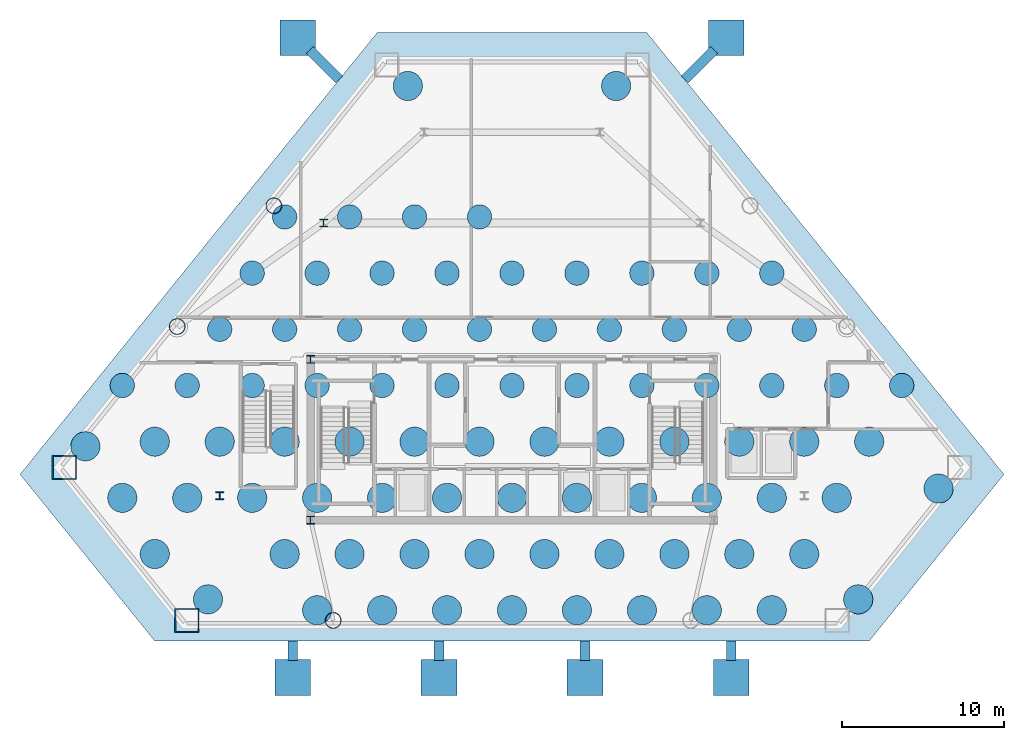
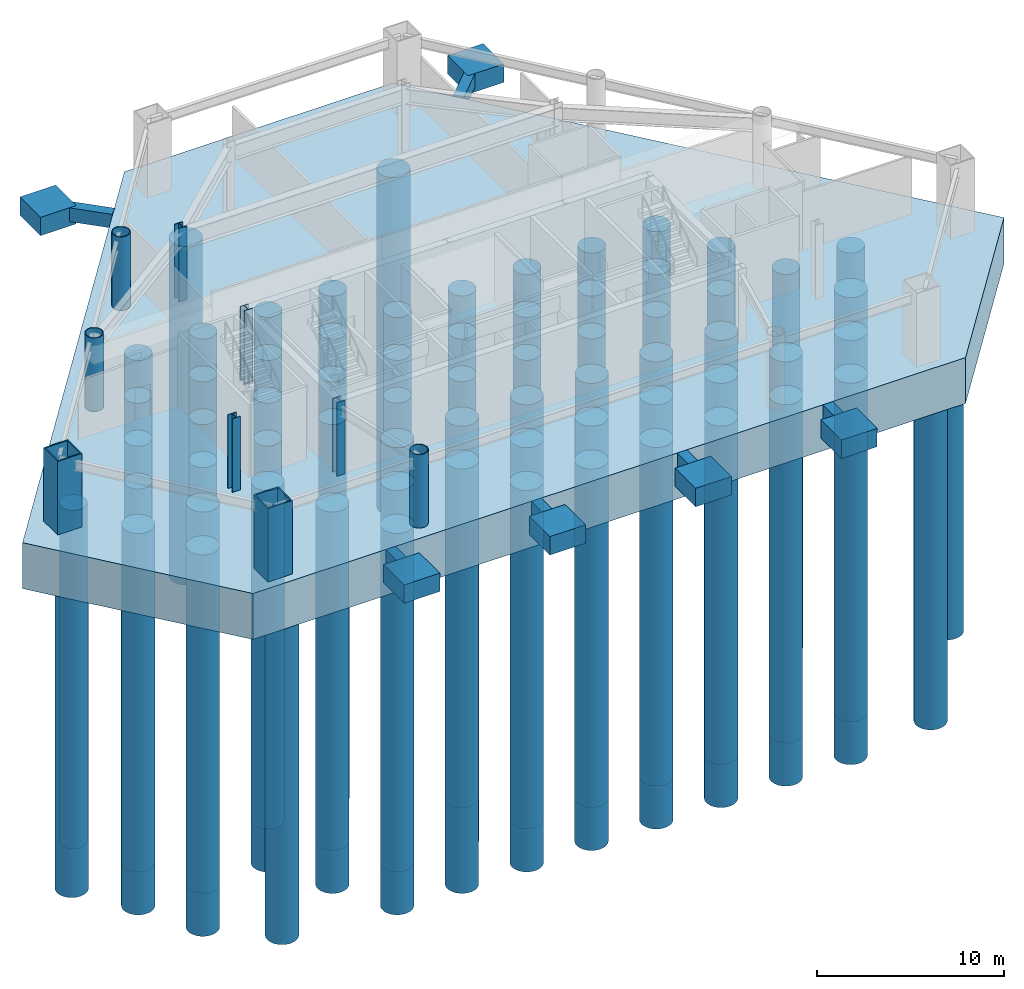
# One storey, part 1 of 8: 84 piles, 13 footings, 9 columns.
"""IFC4 building model written with IfcOpenShell, lengths in metres."""

from ifc_helpers import new_model, si_unit, direction, frame, origin, origin_2d, place, context, subcontext, project, spatial, polyline, rectangle, hollow_rectangle, circle, hollow_circle, i_section, outline, extrude, material, layer, layer_set, material_profile, profile_set, type_object, element, save


model = new_model("IFC4")

# Units and contexts
model_context = context("Model", 3, precision=1e-05, world=origin(), true_north=direction((0.0, 1.0)))
body_context = subcontext(model_context, "Body", "Model", "MODEL_VIEW")
ifc_project = project(units=[si_unit("LENGTHUNIT", "METRE"), si_unit("AREAUNIT", "SQUARE_METRE"), si_unit("VOLUMEUNIT", "CUBIC_METRE"), si_unit("PLANEANGLEUNIT", "RADIAN"), si_unit("MASSUNIT", "GRAM", prefix="KILO")], contexts=[model_context])

# Site, building, storey
site_placement = place(None, origin())
site = spatial("IfcSite", under=ifc_project, at=site_placement, CompositionType="ELEMENT")
building_placement = place(site_placement, origin())
building = spatial("IfcBuilding", under=site, at=building_placement, Name="Talgorran Terracotta Tower", CompositionType="ELEMENT")
storey_placement = place(building_placement, frame((0.0, 0.0, -4.800048828125)))
storey = spatial("IfcBuildingStorey", under=building, at=storey_placement, Name="B1", CompositionType="ELEMENT", Elevation=-4.800048828125)

# Footings
ifc_material_1 = material(Name="Concrete C50/60", Category="concrete")
ifc_layer_1 = layer(ifc_material_1, 1.199951171875, Name="FT_CANOPY_PAD_1200")
ifc_layer_set_1 = layer_set([ifc_layer_1], Name="Concrete C50/60")
footing_type_1 = type_object("IfcFootingType", Name="FT_CANOPY_PAD_1200", PredefinedType="PAD_FOOTING", material=ifc_layer_set_1)
for number, where, z_axis, x_axis, name in (
    (1, (-13.5, -23.800048828125, -1.19970703125), (0.0, 0.0, 1.0), (1.0, 0.0, 0.0), "Plaza Entry Portico Pad Footing S1"),
    (2, (-4.5, -23.800048828125, -1.19970703125), (0.0, 0.0, 1.0), (1.0, 0.0, 0.0), "Plaza Entry Portico Pad Footing S2"),
    (3, (4.5, -23.800048828125, -1.19970703125), (0.0, 0.0, 1.0), (1.0, 0.0, 0.0), "Plaza Entry Portico Pad Footing S3"),
    (4, (13.5, -23.800048828125, -1.19970703125), (0.0, 0.0, 1.0), (1.0, 0.0, 0.0), "Plaza Entry Portico Pad Footing S4"),
    (5, (-13.199951171875, 15.60009765625, -1.19970703125), (0.0, 0.0, 1.0), (1.0, 0.0, 0.0), "Plaza Entry Portico Pad Footing N1"),
    (6, (13.199951171875, 15.60009765625, -1.19970703125), (0.0, 0.0, 1.0), (1.0, 0.0, 0.0), "Plaza Entry Portico Pad Footing N2"),
):
    element("IfcFooting", number, at=place(storey_placement, frame(where, z_axis=z_axis, x_axis=x_axis)), inside=storey, type_object=footing_type_1, Name=name, PredefinedType="PAD_FOOTING", context=body_context, shape_type="SweptSolid", body=[
        extrude(rectangle(XDim=2.199951171875, YDim=2.199951171875, at=origin_2d()), origin(), (0.0, 0.0, 1.0), 1.199951171875),
    ])
ifc_material_profile_1 = material_profile(ifc_material_1, rectangle(XDim=0.60009765625, YDim=0.89990234375, at=origin_2d()), Name="GB600X900")
ifc_profile_set_1 = profile_set([ifc_material_profile_1], Name="Concrete C50/60")
footing_type_2 = type_object("IfcFootingType", Name="FT_GROUND_TIE_600X900", PredefinedType="FOOTING_BEAM", material=ifc_profile_set_1)
for number, where, z_axis, x_axis, name in (
    (7, (-13.5, -22.75, -0.449951171875), (0.0, 1.0, 0.0), (-1.0, 0.0, 0.0), "Ground Tie Beam S1"),
    (8, (-4.5, -22.75, -0.449951171875), (0.0, 1.0, 0.0), (-1.0, 0.0, 0.0), "Ground Tie Beam S2"),
    (9, (4.5, -22.75, -0.449951171875), (0.0, 1.0, 0.0), (-1.0, 0.0, 0.0), "Ground Tie Beam S3"),
    (10, (13.5, -22.75, -0.449951171875), (0.0, 1.0, 0.0), (-1.0, 0.0, 0.0), "Ground Tie Beam S4"),
):
    element("IfcFooting", number, at=place(storey_placement, frame(where, z_axis=z_axis, x_axis=x_axis)), inside=storey, type_object=footing_type_2, Name=name, PredefinedType="FOOTING_BEAM", context=body_context, shape_type="SweptSolid", body=[
        extrude(rectangle(XDim=0.60009765625, YDim=0.89990234375, at=origin_2d()), origin(), (0.0, 0.0, 1.0), 1.199951171875),
    ])
for number, where, z_axis, x_axis, name in (
    (11, (-12.45751953125, 14.857421875, -0.449951171875), (0.707154245981, -0.707059313206, 0.0), (0.707059313206, 0.707154245981, 0.0), "Ground Tie Beam N1"),
    (12, (12.45751953125, 14.857421875, -0.449951171875), (-0.707154245981, -0.707059313206, 0.0), (0.707059313206, -0.707154245981, 0.0), "Ground Tie Beam N2"),
):
    element("IfcFooting", number, at=place(storey_placement, frame(where, z_axis=z_axis, x_axis=x_axis)), inside=storey, type_object=footing_type_2, Name=name, PredefinedType="FOOTING_BEAM", context=body_context, shape_type="SweptSolid", body=[
        extrude(rectangle(XDim=0.60009765625, YDim=0.89990234375, at=origin_2d()), origin(), (0.0, 0.0, 1.0), 2.57177734375),
    ])
ifc_layer_2 = layer(ifc_material_1, 3.0, Name="FT_PILED_RAFT_3000")
ifc_layer_set_2 = layer_set([ifc_layer_2], Name="Concrete C50/60")
footing_type_3 = type_object("IfcFootingType", Name="FT_PILED_RAFT_3000", PredefinedType="PILE_CAP", material=ifc_layer_set_2)
footing_placement = place(storey_placement, frame((0.0, 0.0, -3.0)))
element("IfcFooting", 13, at=footing_placement, inside=storey, type_object=footing_type_3, Name="Tower and Podium Piled Foundation Raft", PredefinedType="PILE_CAP", context=body_context, shape_type="SweptSolid", body=[
    extrude(outline(polyline([(-30.301025390625, -11.28369140625), (-22.001953125, -21.550048828125), (22.001953125, -21.550048828125), (30.301025390625, -11.28369140625), (8.299072265625, 15.93359375), (-8.299072265625, 15.93359375), (-30.301025390625, -11.28369140625)])), origin(), (0.0, 0.0, 1.0), 3.0),
])

# Piles
ifc_material_profile_2 = material_profile(ifc_material_1, circle(Radius=0.75, at=origin_2d()), Name="PILE1500")
ifc_profile_set_2 = profile_set([ifc_material_profile_2], Name="Concrete C50/60")
pile_type_1 = type_object("IfcPileType", Name="PILE_BORED_1500", PredefinedType="BORED", material=ifc_profile_set_2)
for number, where, z_axis, x_axis, name in (
    (14, (-24.0009765625, -5.81005859375, -2.89990234375), (0.0, 0.0, -1.0), (1.0, 0.0, 0.0), "Bored Rock-Socketed Pile P2 (PILE-P2-01)"),
    (15, (-20.0009765625, -5.81005859375, -2.89990234375), (0.0, 0.0, -1.0), (1.0, 0.0, 0.0), "Bored Rock-Socketed Pile P2 (PILE-P2-02)"),
    (16, (-16.0009765625, -5.81005859375, -2.89990234375), (0.0, 0.0, -1.0), (1.0, 0.0, 0.0), "Bored Rock-Socketed Pile P2 (PILE-P2-03)"),
    (17, (-12.0009765625, -5.81005859375, -2.89990234375), (0.0, 0.0, -1.0), (1.0, 0.0, 0.0), "Bored Rock-Socketed Pile P2 (PILE-P2-04)"),
    (18, (-8.0009765625, -5.81005859375, -2.89990234375), (0.0, 0.0, -1.0), (1.0, 0.0, 0.0), "Bored Rock-Socketed Pile P2 (PILE-P2-05)"),
    (19, (-4.0009765625, -5.81005859375, -2.89990234375), (0.0, 0.0, -1.0), (1.0, 0.0, 0.0), "Bored Rock-Socketed Pile P2 (PILE-P2-06)"),
    (20, (-0.0009765625, -5.81005859375, -2.89990234375), (0.0, 0.0, -1.0), (1.0, 0.0, 0.0), "Bored Rock-Socketed Pile P2 (PILE-P2-07)"),
    (21, (3.9990234375, -5.81005859375, -2.89990234375), (0.0, 0.0, -1.0), (1.0, 0.0, 0.0), "Bored Rock-Socketed Pile P2 (PILE-P2-08)"),
    (22, (7.9990234375, -5.81005859375, -2.89990234375), (0.0, 0.0, -1.0), (1.0, 0.0, 0.0), "Bored Rock-Socketed Pile P2 (PILE-P2-09)"),
    (23, (11.9990234375, -5.81005859375, -2.89990234375), (0.0, 0.0, -1.0), (1.0, 0.0, 0.0), "Bored Rock-Socketed Pile P2 (PILE-P2-10)"),
    (24, (15.9990234375, -5.81005859375, -2.89990234375), (0.0, 0.0, -1.0), (1.0, 0.0, 0.0), "Bored Rock-Socketed Pile P2 (PILE-P2-11)"),
    (25, (19.9990234375, -5.81005859375, -2.89990234375), (0.0, 0.0, -1.0), (1.0, 0.0, 0.0), "Bored Rock-Socketed Pile P2 (PILE-P2-12)"),
    (26, (23.9990234375, -5.81005859375, -2.89990234375), (0.0, 0.0, -1.0), (1.0, 0.0, 0.0), "Bored Rock-Socketed Pile P2 (PILE-P2-13)"),
    (27, (-18.0009765625, -2.35009765625, -2.89990234375), (0.0, 0.0, -1.0), (1.0, 0.0, 0.0), "Bored Rock-Socketed Pile P2 (PILE-P2-14)"),
    (28, (-14.0009765625, -2.35009765625, -2.89990234375), (0.0, 0.0, -1.0), (1.0, 0.0, 0.0), "Bored Rock-Socketed Pile P2 (PILE-P2-15)"),
    (29, (-10.0009765625, -2.35009765625, -2.89990234375), (0.0, 0.0, -1.0), (1.0, 0.0, 0.0), "Bored Rock-Socketed Pile P2 (PILE-P2-16)"),
    (30, (-6.0009765625, -2.35009765625, -2.89990234375), (0.0, 0.0, -1.0), (1.0, 0.0, 0.0), "Bored Rock-Socketed Pile P2 (PILE-P2-17)"),
    (31, (-2.0009765625, -2.35009765625, -2.89990234375), (0.0, 0.0, -1.0), (1.0, 0.0, 0.0), "Bored Rock-Socketed Pile P2 (PILE-P2-18)"),
    (32, (1.9990234375, -2.35009765625, -2.89990234375), (0.0, 0.0, -1.0), (1.0, 0.0, 0.0), "Bored Rock-Socketed Pile P2 (PILE-P2-19)"),
    (33, (5.9990234375, -2.35009765625, -2.89990234375), (0.0, 0.0, -1.0), (1.0, 0.0, 0.0), "Bored Rock-Socketed Pile P2 (PILE-P2-20)"),
    (34, (9.9990234375, -2.35009765625, -2.89990234375), (0.0, 0.0, -1.0), (1.0, 0.0, 0.0), "Bored Rock-Socketed Pile P2 (PILE-P2-21)"),
    (35, (13.9990234375, -2.35009765625, -2.89990234375), (0.0, 0.0, -1.0), (1.0, 0.0, 0.0), "Bored Rock-Socketed Pile P2 (PILE-P2-22)"),
    (36, (17.9990234375, -2.35009765625, -2.89990234375), (0.0, 0.0, -1.0), (1.0, 0.0, 0.0), "Bored Rock-Socketed Pile P2 (PILE-P2-23)"),
    (37, (-16.0009765625, 1.110107421875, -2.89990234375), (0.0, 0.0, -1.0), (1.0, 0.0, 0.0), "Bored Rock-Socketed Pile P2 (PILE-P2-24)"),
    (38, (-12.0009765625, 1.110107421875, -2.89990234375), (0.0, 0.0, -1.0), (1.0, 0.0, 0.0), "Bored Rock-Socketed Pile P2 (PILE-P2-25)"),
    (39, (-8.0009765625, 1.110107421875, -2.89990234375), (0.0, 0.0, -1.0), (1.0, 0.0, 0.0), "Bored Rock-Socketed Pile P2 (PILE-P2-26)"),
    (40, (-4.0009765625, 1.110107421875, -2.89990234375), (0.0, 0.0, -1.0), (1.0, 0.0, 0.0), "Bored Rock-Socketed Pile P2 (PILE-P2-27)"),
    (41, (-0.0009765625, 1.110107421875, -2.89990234375), (0.0, 0.0, -1.0), (1.0, 0.0, 0.0), "Bored Rock-Socketed Pile P2 (PILE-P2-28)"),
    (42, (3.9990234375, 1.110107421875, -2.89990234375), (0.0, 0.0, -1.0), (1.0, 0.0, 0.0), "Bored Rock-Socketed Pile P2 (PILE-P2-29)"),
    (43, (7.9990234375, 1.110107421875, -2.89990234375), (0.0, 0.0, -1.0), (1.0, 0.0, 0.0), "Bored Rock-Socketed Pile P2 (PILE-P2-30)"),
    (44, (11.9990234375, 1.110107421875, -2.89990234375), (0.0, 0.0, -1.0), (1.0, 0.0, 0.0), "Bored Rock-Socketed Pile P2 (PILE-P2-31)"),
    (45, (15.9990234375, 1.110107421875, -2.89990234375), (0.0, 0.0, -1.0), (1.0, 0.0, 0.0), "Bored Rock-Socketed Pile P2 (PILE-P2-32)"),
    (46, (-14.0009765625, 4.570068359375, -2.89990234375), (0.0, 0.0, -1.0), (1.0, 0.0, 0.0), "Bored Rock-Socketed Pile P2 (PILE-P2-33)"),
    (47, (-10.0009765625, 4.570068359375, -2.89990234375), (0.0, 0.0, -1.0), (1.0, 0.0, 0.0), "Bored Rock-Socketed Pile P2 (PILE-P2-34)"),
    (48, (-6.0009765625, 4.570068359375, -2.89990234375), (0.0, 0.0, -1.0), (1.0, 0.0, 0.0), "Bored Rock-Socketed Pile P2 (PILE-P2-35)"),
    (49, (-2.0009765625, 4.570068359375, -2.89990234375), (0.0, 0.0, -1.0), (1.0, 0.0, 0.0), "Bored Rock-Socketed Pile P2 (PILE-P2-36)"),
):
    element("IfcPile", number, at=place(storey_placement, frame(where, z_axis=z_axis, x_axis=x_axis)), inside=storey, type_object=pile_type_1, Name=name, PredefinedType="BORED", context=body_context, shape_type="SweptSolid", body=[
        extrude(circle(Radius=0.75, at=origin_2d()), origin(), (0.0, 0.0, 1.0), 22.10009765625),
    ])
ifc_material_profile_3 = material_profile(ifc_material_1, circle(Radius=0.89990234375, at=origin_2d()), Name="PILE1800")
ifc_profile_set_3 = profile_set([ifc_material_profile_3], Name="Concrete C50/60")
pile_type_2 = type_object("IfcPileType", Name="PILE_BORED_1800", PredefinedType="BORED", material=ifc_profile_set_3)
for number, where, z_axis, x_axis, name in (
    (50, (-26.27001953125, -9.555908203125, -2.89990234375), (0.0, 0.0, -1.0), (1.0, 0.0, 0.0), "Bored Rock-Socketed Pile P1 (PILE-P1-01)"),
    (51, (-18.721923828125, -18.97998046875, -2.89990234375), (0.0, 0.0, -1.0), (1.0, 0.0, 0.0), "Bored Rock-Socketed Pile P1 (PILE-P1-02)"),
    (52, (21.322021484375, -18.97998046875, -2.89990234375), (0.0, 0.0, -1.0), (1.0, 0.0, 0.0), "Bored Rock-Socketed Pile P1 (PILE-P1-03)"),
    (53, (26.27001953125, -12.156005859375, -2.89990234375), (0.0, 0.0, -1.0), (1.0, 0.0, 0.0), "Bored Rock-Socketed Pile P1 (PILE-P1-04)"),
    (54, (6.4140625, 12.635986328125, -2.89990234375), (0.0, 0.0, -1.0), (1.0, 0.0, 0.0), "Bored Rock-Socketed Pile P1 (PILE-P1-05)"),
    (55, (-6.4140625, 12.635986328125, -2.89990234375), (0.0, 0.0, -1.0), (1.0, 0.0, 0.0), "Bored Rock-Socketed Pile P1 (PILE-P1-06)"),
    (56, (-12.0009765625, -19.64990234375, -2.89990234375), (0.0, 0.0, -1.0), (1.0, 0.0, 0.0), "Bored Rock-Socketed Pile P1 (PILE-P1-07)"),
    (57, (-8.0009765625, -19.64990234375, -2.89990234375), (0.0, 0.0, -1.0), (1.0, 0.0, 0.0), "Bored Rock-Socketed Pile P1 (PILE-P1-08)"),
    (58, (-4.0009765625, -19.64990234375, -2.89990234375), (0.0, 0.0, -1.0), (1.0, 0.0, 0.0), "Bored Rock-Socketed Pile P1 (PILE-P1-09)"),
    (59, (-0.0009765625, -19.64990234375, -2.89990234375), (0.0, 0.0, -1.0), (1.0, 0.0, 0.0), "Bored Rock-Socketed Pile P1 (PILE-P1-10)"),
    (60, (3.9990234375, -19.64990234375, -2.89990234375), (0.0, 0.0, -1.0), (1.0, 0.0, 0.0), "Bored Rock-Socketed Pile P1 (PILE-P1-11)"),
    (61, (7.9990234375, -19.64990234375, -2.89990234375), (0.0, 0.0, -1.0), (1.0, 0.0, 0.0), "Bored Rock-Socketed Pile P1 (PILE-P1-12)"),
    (62, (11.9990234375, -19.64990234375, -2.89990234375), (0.0, 0.0, -1.0), (1.0, 0.0, 0.0), "Bored Rock-Socketed Pile P1 (PILE-P1-13)"),
    (63, (15.9990234375, -19.64990234375, -2.89990234375), (0.0, 0.0, -1.0), (1.0, 0.0, 0.0), "Bored Rock-Socketed Pile P1 (PILE-P1-14)"),
    (64, (-22.0009765625, -16.18994140625, -2.89990234375), (0.0, 0.0, -1.0), (1.0, 0.0, 0.0), "Bored Rock-Socketed Pile P1 (PILE-P1-15)"),
    (65, (-14.0009765625, -16.18994140625, -2.89990234375), (0.0, 0.0, -1.0), (1.0, 0.0, 0.0), "Bored Rock-Socketed Pile P1 (PILE-P1-16)"),
    (66, (-10.0009765625, -16.18994140625, -2.89990234375), (0.0, 0.0, -1.0), (1.0, 0.0, 0.0), "Bored Rock-Socketed Pile P1 (PILE-P1-17)"),
    (67, (-6.0009765625, -16.18994140625, -2.89990234375), (0.0, 0.0, -1.0), (1.0, 0.0, 0.0), "Bored Rock-Socketed Pile P1 (PILE-P1-18)"),
    (68, (-2.0009765625, -16.18994140625, -2.89990234375), (0.0, 0.0, -1.0), (1.0, 0.0, 0.0), "Bored Rock-Socketed Pile P1 (PILE-P1-19)"),
    (69, (1.9990234375, -16.18994140625, -2.89990234375), (0.0, 0.0, -1.0), (1.0, 0.0, 0.0), "Bored Rock-Socketed Pile P1 (PILE-P1-20)"),
    (70, (5.9990234375, -16.18994140625, -2.89990234375), (0.0, 0.0, -1.0), (1.0, 0.0, 0.0), "Bored Rock-Socketed Pile P1 (PILE-P1-21)"),
    (71, (9.9990234375, -16.18994140625, -2.89990234375), (0.0, 0.0, -1.0), (1.0, 0.0, 0.0), "Bored Rock-Socketed Pile P1 (PILE-P1-22)"),
    (72, (13.9990234375, -16.18994140625, -2.89990234375), (0.0, 0.0, -1.0), (1.0, 0.0, 0.0), "Bored Rock-Socketed Pile P1 (PILE-P1-23)"),
    (73, (17.9990234375, -16.18994140625, -2.89990234375), (0.0, 0.0, -1.0), (1.0, 0.0, 0.0), "Bored Rock-Socketed Pile P1 (PILE-P1-24)"),
    (74, (-24.0009765625, -12.72998046875, -2.89990234375), (0.0, 0.0, -1.0), (1.0, 0.0, 0.0), "Bored Rock-Socketed Pile P1 (PILE-P1-25)"),
    (75, (-20.0009765625, -12.72998046875, -2.89990234375), (0.0, 0.0, -1.0), (1.0, 0.0, 0.0), "Bored Rock-Socketed Pile P1 (PILE-P1-26)"),
    (76, (-16.0009765625, -12.72998046875, -2.89990234375), (0.0, 0.0, -1.0), (1.0, 0.0, 0.0), "Bored Rock-Socketed Pile P1 (PILE-P1-27)"),
    (77, (-12.0009765625, -12.72998046875, -2.89990234375), (0.0, 0.0, -1.0), (1.0, 0.0, 0.0), "Bored Rock-Socketed Pile P1 (PILE-P1-28)"),
    (78, (-8.0009765625, -12.72998046875, -2.89990234375), (0.0, 0.0, -1.0), (1.0, 0.0, 0.0), "Bored Rock-Socketed Pile P1 (PILE-P1-29)"),
    (79, (-4.0009765625, -12.72998046875, -2.89990234375), (0.0, 0.0, -1.0), (1.0, 0.0, 0.0), "Bored Rock-Socketed Pile P1 (PILE-P1-30)"),
    (80, (-0.0009765625, -12.72998046875, -2.89990234375), (0.0, 0.0, -1.0), (1.0, 0.0, 0.0), "Bored Rock-Socketed Pile P1 (PILE-P1-31)"),
    (81, (3.9990234375, -12.72998046875, -2.89990234375), (0.0, 0.0, -1.0), (1.0, 0.0, 0.0), "Bored Rock-Socketed Pile P1 (PILE-P1-32)"),
    (82, (7.9990234375, -12.72998046875, -2.89990234375), (0.0, 0.0, -1.0), (1.0, 0.0, 0.0), "Bored Rock-Socketed Pile P1 (PILE-P1-33)"),
    (83, (11.9990234375, -12.72998046875, -2.89990234375), (0.0, 0.0, -1.0), (1.0, 0.0, 0.0), "Bored Rock-Socketed Pile P1 (PILE-P1-34)"),
    (84, (15.9990234375, -12.72998046875, -2.89990234375), (0.0, 0.0, -1.0), (1.0, 0.0, 0.0), "Bored Rock-Socketed Pile P1 (PILE-P1-35)"),
    (85, (19.9990234375, -12.72998046875, -2.89990234375), (0.0, 0.0, -1.0), (1.0, 0.0, 0.0), "Bored Rock-Socketed Pile P1 (PILE-P1-36)"),
    (86, (-22.0009765625, -9.27001953125, -2.89990234375), (0.0, 0.0, -1.0), (1.0, 0.0, 0.0), "Bored Rock-Socketed Pile P1 (PILE-P1-37)"),
    (87, (-18.0009765625, -9.27001953125, -2.89990234375), (0.0, 0.0, -1.0), (1.0, 0.0, 0.0), "Bored Rock-Socketed Pile P1 (PILE-P1-38)"),
    (88, (-14.0009765625, -9.27001953125, -2.89990234375), (0.0, 0.0, -1.0), (1.0, 0.0, 0.0), "Bored Rock-Socketed Pile P1 (PILE-P1-39)"),
    (89, (-10.0009765625, -9.27001953125, -2.89990234375), (0.0, 0.0, -1.0), (1.0, 0.0, 0.0), "Bored Rock-Socketed Pile P1 (PILE-P1-40)"),
    (90, (-6.0009765625, -9.27001953125, -2.89990234375), (0.0, 0.0, -1.0), (1.0, 0.0, 0.0), "Bored Rock-Socketed Pile P1 (PILE-P1-41)"),
    (91, (-2.0009765625, -9.27001953125, -2.89990234375), (0.0, 0.0, -1.0), (1.0, 0.0, 0.0), "Bored Rock-Socketed Pile P1 (PILE-P1-42)"),
    (92, (1.9990234375, -9.27001953125, -2.89990234375), (0.0, 0.0, -1.0), (1.0, 0.0, 0.0), "Bored Rock-Socketed Pile P1 (PILE-P1-43)"),
    (93, (5.9990234375, -9.27001953125, -2.89990234375), (0.0, 0.0, -1.0), (1.0, 0.0, 0.0), "Bored Rock-Socketed Pile P1 (PILE-P1-44)"),
    (94, (9.9990234375, -9.27001953125, -2.89990234375), (0.0, 0.0, -1.0), (1.0, 0.0, 0.0), "Bored Rock-Socketed Pile P1 (PILE-P1-45)"),
    (95, (13.9990234375, -9.27001953125, -2.89990234375), (0.0, 0.0, -1.0), (1.0, 0.0, 0.0), "Bored Rock-Socketed Pile P1 (PILE-P1-46)"),
    (96, (17.9990234375, -9.27001953125, -2.89990234375), (0.0, 0.0, -1.0), (1.0, 0.0, 0.0), "Bored Rock-Socketed Pile P1 (PILE-P1-47)"),
    (97, (21.9990234375, -9.27001953125, -2.89990234375), (0.0, 0.0, -1.0), (1.0, 0.0, 0.0), "Bored Rock-Socketed Pile P1 (PILE-P1-48)"),
):
    element("IfcPile", number, at=place(storey_placement, frame(where, z_axis=z_axis, x_axis=x_axis)), inside=storey, type_object=pile_type_2, Name=name, PredefinedType="BORED", context=body_context, shape_type="SweptSolid", body=[
        extrude(circle(Radius=0.89990234375, at=origin_2d()), origin(), (0.0, 0.0, 1.0), 22.10009765625),
    ])

# Columns
ifc_material_2 = material(Name="Steel S355 (300PLUS)", Category="steel")
ifc_material_profile_4 = material_profile(ifc_material_2, i_section(OverallWidth=0.5, OverallDepth=0.48193359375, WebThickness=0.0400390625, FlangeThickness=0.044921875, at=origin_2d()), Name="500WC440")
ifc_profile_set_4 = profile_set([ifc_material_profile_4], Name="Steel S355 (300PLUS)")
column_type_1 = type_object("IfcColumnType", Name="COL_500WC440", PredefinedType="COLUMN", material=ifc_profile_set_4)
for number, where, z_axis, x_axis, name in (
    (98, (-12.39990234375, -14.10009765625, 0.0), (0.0, 0.0, 1.0), (1.0, 0.0, 0.0), "B1 Core Boundary Column CC1"),
    (99, (-12.39990234375, -4.199951171875, 0.0), (0.0, 0.0, 1.0), (1.0, 0.0, 0.0), "B1 Core Boundary Column CC4"),
    (100, (-18.0, -12.60009765625, 0.0), (0.0, 0.0, 1.0), (1.0, 0.0, 0.0), "B1 Podium Column PC1"),
    (101, (-11.60009765625, 4.199951171875, 0.0), (0.0, 0.0, 1.0), (1.0, 0.0, 0.0), "B1 Podium Column PC3"),
):
    element("IfcColumn", number, at=place(storey_placement, frame(where, z_axis=z_axis, x_axis=x_axis)), inside=storey, type_object=column_type_1, Name=name, PredefinedType="COLUMN", context=body_context, shape_type="SweptSolid", body=[
        extrude(i_section(OverallWidth=0.5, OverallDepth=0.48193359375, WebThickness=0.0400390625, FlangeThickness=0.044921875, at=origin_2d()), origin(), (0.0, 0.0, 1.0), 4.800048828125),
    ])
ifc_material_3 = material(Name="Steel Grade 350 (350L0)", Category="steel")
ifc_material_profile_5 = material_profile(ifc_material_3, hollow_rectangle(XDim=1.5, YDim=1.5, WallThickness=0.074951171875, at=origin_2d()), Name="CFT1500X1500X75")
ifc_profile_set_5 = profile_set([ifc_material_profile_5], Name="Steel Grade 350 (350L0)")
column_type_2 = type_object("IfcColumnType", Name="COL_CFT_1500", PredefinedType="COLUMN", material=ifc_profile_set_5)
for number, where, z_axis, x_axis, name in (
    (102, (-27.56982421875, -10.85595703125, 0.0), (0.0, 0.0, 1.0), (1.0, 0.0, 0.0), "B1 Corner CFT Mega-Column MC1"),
    (103, (-20.022216796875, -20.280029296875, 0.0), (0.0, 0.0, 1.0), (1.0, 0.0, 0.0), "B1 Corner CFT Mega-Column MC2"),
):
    element("IfcColumn", number, at=place(storey_placement, frame(where, z_axis=z_axis, x_axis=x_axis)), inside=storey, type_object=column_type_2, Name=name, PredefinedType="COLUMN", context=body_context, shape_type="SweptSolid", body=[
        extrude(hollow_rectangle(XDim=1.5, YDim=1.5, WallThickness=0.074951171875, at=origin_2d()), origin(), (0.0, 0.0, 1.0), 4.800048828125),
    ])
ifc_material_profile_6 = material_profile(ifc_material_3, hollow_circle(Radius=0.5, WallThickness=0.044921875, at=origin_2d()), Name="CHS1000X45")
ifc_profile_set_6 = profile_set([ifc_material_profile_6], Name="Steel Grade 350 (350L0)")
column_type_3 = type_object("IfcColumnType", Name="COL_CHS_1000", PredefinedType="COLUMN", material=ifc_profile_set_6)
for number, where, z_axis, x_axis, name in (
    (104, (-11.01220703125, -20.280029296875, 0.0), (0.0, 0.0, 1.0), (1.0, 0.0, 0.0), "B1 Facet Perimeter Column FC1"),
    (105, (-14.663818359375, 5.2587890625, 0.0), (0.0, 0.0, 1.0), (1.0, 0.0, 0.0), "B1 Facet Perimeter Column FC5"),
    (106, (-20.620361328125, -2.1787109375, 0.0), (0.0, 0.0, 1.0), (1.0, 0.0, 0.0), "B1 Facet Perimeter Column FC6"),
):
    element("IfcColumn", number, at=place(storey_placement, frame(where, z_axis=z_axis, x_axis=x_axis)), inside=storey, type_object=column_type_3, Name=name, PredefinedType="COLUMN", context=body_context, shape_type="SweptSolid", body=[
        extrude(hollow_circle(Radius=0.5, WallThickness=0.044921875, at=origin_2d()), origin(), (0.0, 0.0, 1.0), 4.800048828125),
    ])

save(model, "model.ifc")
